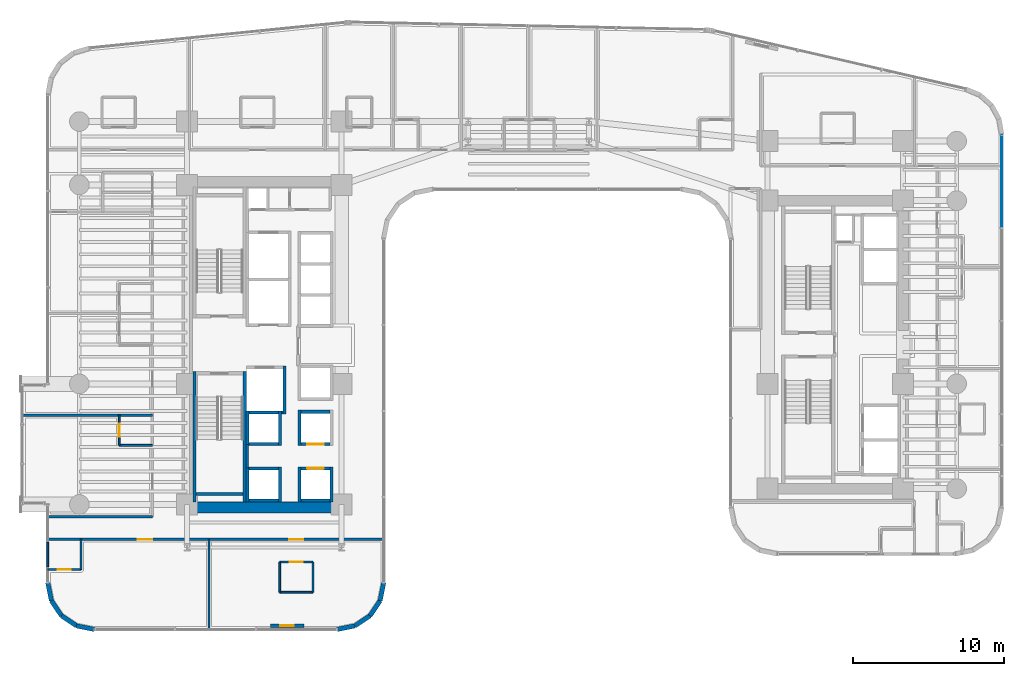
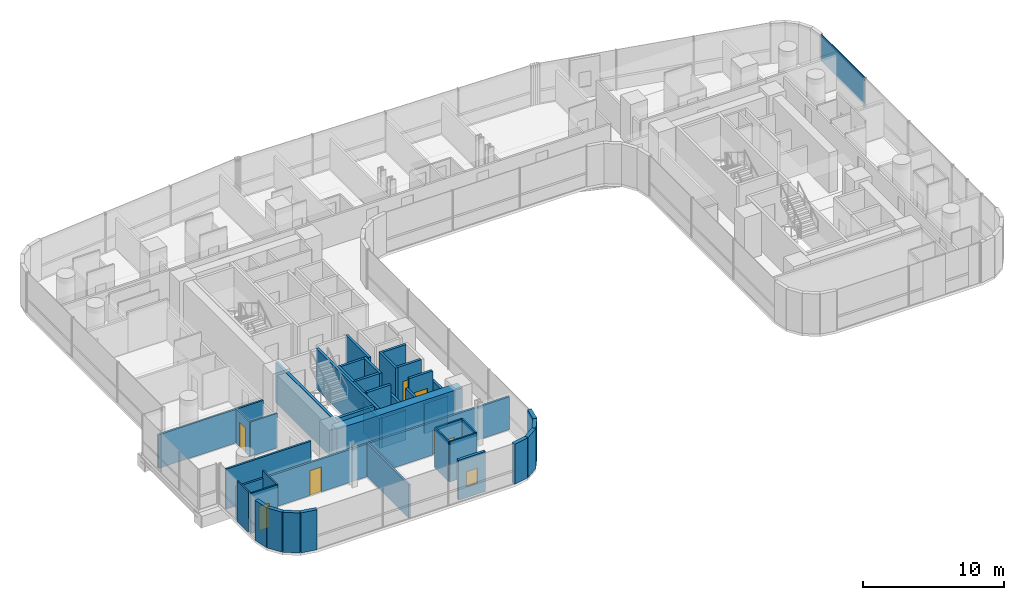
# One storey, part 30 of 42: 43 walls, 7 doors, 1 plate, 1 window, 8 openings, 1 element without a shape of its own.
"""IFC4 building model written with IfcOpenShell, lengths in metres."""

from ifc_helpers import new_model, si_unit, direction, frame, frame_2d, origin, origin_2d, place, context, subcontext, project, spatial, rectangle, extrude, source, transform, mapped, material, layer, layer_set, type_object, element, fill, aggregate, save


model = new_model("IFC4")

# Units and contexts
model_context = context("Model", 3, precision=1e-05, world=origin(), true_north=direction((0.0, 1.0)))
body_context = subcontext(model_context, "Body", "Model", "MODEL_VIEW")
ifc_project = project(units=[si_unit("LENGTHUNIT", "METRE"), si_unit("AREAUNIT", "SQUARE_METRE"), si_unit("VOLUMEUNIT", "CUBIC_METRE"), si_unit("PLANEANGLEUNIT", "RADIAN"), si_unit("MASSUNIT", "GRAM", prefix="KILO")], contexts=[model_context])

# Site, building, storey
site_placement = place(None, origin())
site = spatial("IfcSite", under=ifc_project, at=site_placement, CompositionType="ELEMENT")
building_placement = place(site_placement, origin())
building = spatial("IfcBuilding", under=site, at=building_placement, Name="Valdorenza Pilgrim Sanctuary Tower", CompositionType="ELEMENT")
storey_placement = place(building_placement, frame((0.0, 0.0, 29.699951171875)))
storey = spatial("IfcBuildingStorey", under=building, at=storey_placement, Name="L06", CompositionType="ELEMENT", Elevation=29.699951171875)

# Curtain wall, plate
ifc_material_1 = material(Name="Curtain-wall IGU glazing", Category="glass")
curtain_wall_type = type_object("IfcCurtainWallType", Name="CW-SYS-03", PredefinedType="NOTDEFINED", material=ifc_material_1)
curtain_wall_placement = place(storey_placement, origin())
curtain_wall = element("IfcCurtainWall", 1, at=curtain_wall_placement, inside=storey, type_object=curtain_wall_type, Name="L06 Curtain Wall CW-L06-1-21", PredefinedType="NOTDEFINED")
ifc_material_2 = material(Name="Ceramic-fritted low-E IGU glazing", Category="glass")
ifc_layer_1 = layer(ifc_material_2, 0.035888671875, Name="Ceramic-fritted low-E IGU glazing")
ifc_layer_set_1 = layer_set([ifc_layer_1], Name="Ceramic-fritted low-E IGU glazing")
plate_type = type_object("IfcPlateType", Name="CW-GLZ-IGU", PredefinedType="USERDEFINED", material=ifc_layer_set_1)
shared_shape = source(origin(), body_context, "Body", "SweptSolid", [
    extrude(rectangle(XDim=6.16357421875, YDim=0.050048828125, at=origin_2d()), origin(), (0.0, 0.0, 1.0), 2.320068359375),
])
plate_placement = place(storey_placement, frame((31.389892578125, 10.853271484375, 1.1298828125), z_axis=(0.0, 0.0, 1.0), x_axis=(0.0, -1.0, 0.0)))
plate = element("IfcPlate", 2, at=plate_placement, type_object=plate_type, Name="CW-L06-1-21 Facade Panel 1", ObjectType="GLAZING", PredefinedType="USERDEFINED", context=body_context, shape_type="MappedRepresentation", body=[
    mapped(shared_shape, transform((0.0, 0.0, 0.0), x_axis=(1.0, 0.0, 0.0), y_axis=(0.0, 1.0, 0.0), z_axis=(0.0, 0.0, 1.0), scale=1.0)),
])
aggregate(curtain_wall, [plate])

# Wall
ifc_material_3 = material(Name="Acoustic twin-stud gypsum partition", Category="gypsum")
ifc_layer_2 = layer(ifc_material_3, 0.159912109375, Name="Acoustic twin-stud gypsum partition")
ifc_layer_set_2 = layer_set([ifc_layer_2], Name="Acoustic twin-stud gypsum partition")
wall_type_1 = type_object("IfcWallType", Name="WAL-COR-160", PredefinedType="PARTITIONING", material=ifc_layer_set_2)
wall_1_placement = place(storey_placement, frame((-18.64990234375, -8.179931640625, 0.0), z_axis=(0.0, 0.0, 1.0), x_axis=(0.0, 1.0, 0.0)))
element("IfcWall", 3, at=wall_1_placement, inside=storey, type_object=wall_type_1, Name="L06 Core A South Lift Hall West Wall", PredefinedType="PARTITIONING", context=body_context, shape_type="SweptSolid", body=[
    extrude(rectangle(XDim=1.559814453125, YDim=0.159912109375, at=frame_2d((0.77978515625, 0.0))), origin(), (0.0, 0.0, 1.0), 3.4599609375),
])

# Wall, openings, doors
wall_2_placement = place(storey_placement, frame((-31.889892578125, -12.919921875, 0.0), z_axis=(0.0, 0.0, 1.0), x_axis=(1.0, 0.0, 0.0)))
wall_2 = element("IfcWall", 4, at=wall_2_placement, inside=storey, type_object=wall_type_1, Name="L06 South Wing Corridor Wall", PredefinedType="PARTITIONING", context=body_context, shape_type="SweptSolid", body=[
    extrude(rectangle(XDim=22.27978515625, YDim=0.159912109375, at=frame_2d((11.139892578125, 0.0))), origin(), (0.0, 0.0, 1.0), 2.833984375),
])
opening_1_placement = place(wall_2_placement, frame((5.969970703125, 0.0, 0.0)))
opening_1 = element("IfcOpeningElement", 5, at=opening_1_placement, cuts=wall_2, Name="Opening DR-UN1", PredefinedType="OPENING", context=body_context, shape_type="SweptSolid", body=[
    extrude(rectangle(XDim=0.949951171875, YDim=2.14990234375, at=frame_2d((0.47509765625, 1.074951171875))), frame((0.0, 0.0947265625, 0.0), z_axis=(0.0, -1.0, 0.0), x_axis=(1.0, 0.0, 0.0)), (0.0, 0.0, 1.0), 0.189697265625),
])
opening_2_placement = place(wall_2_placement, frame((16.010009765625, 0.0, 0.0)))
opening_2 = element("IfcOpeningElement", 6, at=opening_2_placement, cuts=wall_2, Name="Opening DR-UN1", PredefinedType="OPENING", context=body_context, shape_type="SweptSolid", body=[
    extrude(rectangle(XDim=0.949951171875, YDim=2.14990234375, at=frame_2d((0.47509765625, 1.074951171875))), frame((0.0, 0.0947265625, 0.0), z_axis=(0.0, -1.0, 0.0), x_axis=(1.0, 0.0, 0.0)), (0.0, 0.0, 1.0), 0.189697265625),
])
ifc_material_4 = material(Name="Solid-core European oak timber", Category="wood")
door_type_1 = type_object("IfcDoorType", Name="DR-UNIT-950", OperationType="NOTDEFINED", PredefinedType="DOOR", material=ifc_material_4)
door_1_placement = place(opening_1_placement, frame((0.949951171875, 0.0, 0.0), z_axis=(0.0, 0.0, 1.0), x_axis=(-1.0, 0.0, 0.0)))
door_1 = element("IfcDoor", 7, at=door_1_placement, inside=storey, type_object=door_type_1, Name="L06 South Guest Room L06-S1 Entrance Door", OperationType="SINGLE_SWING_LEFT", OverallHeight=2.14990234375, OverallWidth=0.949951171875, PredefinedType="DOOR", context=body_context, shape_type="SweptSolid", body=[
    extrude(rectangle(XDim=0.949951171875, YDim=2.14990234375, at=frame_2d((0.47509765625, 1.074951171875))), frame((0.0, 0.02490234375, 0.0), z_axis=(0.0, -1.0, 0.0), x_axis=(1.0, 0.0, 0.0)), (0.0, 0.0, 1.0), 0.050048828125),
])
fill(opening_1, door_1)
door_2_placement = place(opening_2_placement, frame((0.949951171875, 0.0, 0.0), z_axis=(0.0, 0.0, 1.0), x_axis=(-1.0, 0.0, 0.0)))
door_2 = element("IfcDoor", 8, at=door_2_placement, inside=storey, type_object=door_type_1, Name="L06 South Guest Room L06-S2 Entrance Door", OperationType="SINGLE_SWING_LEFT", OverallHeight=2.14990234375, OverallWidth=0.949951171875, PredefinedType="DOOR", context=body_context, shape_type="SweptSolid", body=[
    extrude(rectangle(XDim=0.949951171875, YDim=2.14990234375, at=frame_2d((0.47509765625, 1.074951171875))), frame((0.0, 0.02490234375, 0.0), z_axis=(0.0, -1.0, 0.0), x_axis=(1.0, 0.0, 0.0)), (0.0, 0.0, 1.0), 0.050048828125),
])
fill(opening_2, door_2)

# Walls
wall_3_placement = place(storey_placement, frame((-31.889892578125, -11.419921875, 0.0), z_axis=(0.0, 0.0, 1.0), x_axis=(1.0, 0.0, 0.0)))
element("IfcWall", 9, at=wall_3_placement, inside=storey, type_object=wall_type_1, Name="L06 South-West Corridor North Wall", PredefinedType="PARTITIONING", context=body_context, shape_type="SweptSolid", body=[
    extrude(rectangle(XDim=6.93994140625, YDim=0.159912109375, at=frame_2d((3.469970703125, 0.0))), origin(), (0.0, 0.0, 1.0), 3.4599609375),
])
ifc_material_5 = material(Name="Concrete C60/75", Category="concrete")
ifc_layer_3 = layer(ifc_material_5, 0.699951171875, Name="Concrete C60/75")
ifc_layer_set_3 = layer_set([ifc_layer_3], Name="Concrete C60/75")
wall_type_2 = type_object("IfcWallType", Name="WAL-COR-700", PredefinedType="SHEAR", material=ifc_layer_set_3)
wall_4_placement = place(storey_placement, frame((-22.64990234375, -10.800048828125, 0.0), z_axis=(0.0, 0.0, 1.0), x_axis=(1.0, 0.0, 0.0)))
element("IfcWall", 10, at=wall_4_placement, inside=storey, type_object=wall_type_2, Name="L06 Split Core A Shear Wall S", PredefinedType="SHEAR", context=body_context, shape_type="SweptSolid", body=[
    extrude(rectangle(XDim=10.25, YDim=0.699951171875, at=frame_2d((5.125, 0.0))), origin(), (0.0, 0.0, 1.0), 3.4599609375),
])
ifc_material_6 = material(Name="Honed travertine limestone", Category="masonry")
ifc_layer_4 = layer(ifc_material_6, 0.300048828125, Name="Honed travertine limestone")
ifc_layer_set_4 = layer_set([ifc_layer_4], Name="Honed travertine limestone")
wall_type_3 = type_object("IfcWallType", Name="WAL-EXT-300", PredefinedType="SOLIDWALL", material=ifc_layer_set_4)
wall_5_placement = place(storey_placement, frame((-9.610107421875, -15.789306640625, 0.0), z_axis=(0.0, 0.0, 1.0), x_axis=(-0.194996050505, -0.980804027463, 0.0)))
element("IfcWall", 11, at=wall_5_placement, inside=storey, type_object=wall_type_3, Name="L06 Rounded Wind-Corner Stone Pier 42", PredefinedType="SOLIDWALL", context=body_context, shape_type="SweptSolid", body=[
    extrude(rectangle(XDim=1.2158203125, YDim=0.300048828125, at=frame_2d((0.60791015625, 0.0))), origin(), (0.0, 0.0, 1.0), 3.4599609375),
])
for number, where, z_axis, x_axis, name in (
    (12, (-9.84716796875, -16.981689453125, 0.0), (0.0, 0.0, 1.0), (-0.555635100982, -0.831426265255, 0.0), "L06 Rounded Wind-Corner Stone Pier 43"),
    (13, (-10.5166015625, -17.9833984375, 0.0), (0.0, 0.0, 1.0), (-0.831426265255, -0.555635100982, 0.0), "L06 Rounded Wind-Corner Stone Pier 44"),
):
    element("IfcWall", number, at=place(storey_placement, frame(where, z_axis=z_axis, x_axis=x_axis)), inside=storey, type_object=wall_type_3, Name=name, PredefinedType="SOLIDWALL", context=body_context, shape_type="SweptSolid", body=[
        extrude(rectangle(XDim=1.204833984375, YDim=0.300048828125, at=frame_2d((0.6025390625, 0.0))), origin(), (0.0, 0.0, 1.0), 3.4599609375),
    ])
wall_6_placement = place(storey_placement, frame((-11.518310546875, -18.65283203125, 0.0), z_axis=(0.0, 0.0, 1.0), x_axis=(-0.980804027463, -0.194996050505, 0.0)))
element("IfcWall", 14, at=wall_6_placement, inside=storey, type_object=wall_type_3, Name="L06 Rounded Wind-Corner Stone Pier 45", PredefinedType="SOLIDWALL", context=body_context, shape_type="SweptSolid", body=[
    extrude(rectangle(XDim=1.2158203125, YDim=0.300048828125, at=frame_2d((0.60791015625, 0.0))), origin(), (0.0, 0.0, 1.0), 3.4599609375),
])

# Wall, opening, window
wall_7_placement = place(storey_placement, frame((-14.910888671875, -18.64990234375, 0.0), z_axis=(0.0, 0.0, 1.0), x_axis=(-1.0, 0.0, 0.0)))
wall_7 = element("IfcWall", 15, at=wall_7_placement, inside=storey, type_object=wall_type_3, Name="L06 Operable Ventilation Sash Jamb Pier", PredefinedType="SOLIDWALL", context=body_context, shape_type="SweptSolid", body=[
    extrude(rectangle(XDim=2.199951171875, YDim=0.219970703125, at=frame_2d((1.10009765625, 0.0))), origin(), (0.0, 0.0, 1.0), 3.4599609375),
])
opening_3_placement = place(wall_7_placement, frame((0.64990234375, 0.0, 0.949951171875)))
opening_3 = element("IfcOpeningElement", 16, at=opening_3_placement, cuts=wall_7, Name="Opening WN-OP1", PredefinedType="OPENING", context=body_context, shape_type="SweptSolid", body=[
    extrude(rectangle(XDim=0.89990234375, YDim=1.300048828125, at=frame_2d((0.449951171875, 0.64990234375))), frame((0.0, 0.125, 0.0), z_axis=(0.0, -1.0, 0.0), x_axis=(1.0, 0.0, 0.0)), (0.0, 0.0, 1.0), 0.249755859375),
])
window_type = type_object("IfcWindowType", Name="WIN-OPN-900", PartitioningType="SINGLE_PANEL", PredefinedType="WINDOW", material=ifc_material_2)
window_placement = place(opening_3_placement, origin())
window = element("IfcWindow", 17, at=window_placement, inside=storey, type_object=window_type, Name="L06 Parallel-Pop-Out Operable Facade Panel", OverallHeight=1.300048828125, OverallWidth=0.89990234375, PartitioningType="SINGLE_PANEL", PredefinedType="WINDOW", context=body_context, shape_type="SweptSolid", body=[
    extrude(rectangle(XDim=0.89990234375, YDim=1.300048828125, at=frame_2d((0.449951171875, 0.64990234375))), frame((0.0, 0.030029296875, 0.0), z_axis=(0.0, -1.0, 0.0), x_axis=(1.0, 0.0, 0.0)), (0.0, 0.0, 1.0), 0.06005859375),
])
fill(opening_3, window)

# Walls
wall_8_placement = place(storey_placement, frame((-28.789306640625, -18.889892578125, 0.0), z_axis=(0.0, 0.0, 1.0), x_axis=(-0.980804027463, 0.194996050505, 0.0)))
element("IfcWall", 18, at=wall_8_placement, inside=storey, type_object=wall_type_3, Name="L06 Rounded Wind-Corner Stone Pier 47", PredefinedType="SOLIDWALL", context=body_context, shape_type="SweptSolid", body=[
    extrude(rectangle(XDim=1.2158203125, YDim=0.300048828125, at=frame_2d((0.60791015625, 0.0))), origin(), (0.0, 0.0, 1.0), 3.4599609375),
])
for number, where, z_axis, x_axis, name in (
    (19, (-29.981689453125, -18.65283203125, 0.0), (0.0, 0.0, 1.0), (-0.831426265255, 0.555635100982, 0.0), "L06 Rounded Wind-Corner Stone Pier 48"),
    (20, (-30.9833984375, -17.9833984375, 0.0), (0.0, 0.0, 1.0), (-0.555635100982, 0.831426265255, 0.0), "L06 Rounded Wind-Corner Stone Pier 49"),
):
    element("IfcWall", number, at=place(storey_placement, frame(where, z_axis=z_axis, x_axis=x_axis)), inside=storey, type_object=wall_type_3, Name=name, PredefinedType="SOLIDWALL", context=body_context, shape_type="SweptSolid", body=[
        extrude(rectangle(XDim=1.204833984375, YDim=0.300048828125, at=frame_2d((0.6025390625, 0.0))), origin(), (0.0, 0.0, 1.0), 3.4599609375),
    ])
wall_9_placement = place(storey_placement, frame((-31.65283203125, -16.981689453125, 0.0), z_axis=(0.0, 0.0, 1.0), x_axis=(-0.194996050505, 0.980804027463, 0.0)))
element("IfcWall", 21, at=wall_9_placement, inside=storey, type_object=wall_type_3, Name="L06 Rounded Wind-Corner Stone Pier 50", PredefinedType="SOLIDWALL", context=body_context, shape_type="SweptSolid", body=[
    extrude(rectangle(XDim=1.2158203125, YDim=0.300048828125, at=frame_2d((0.60791015625, 0.0))), origin(), (0.0, 0.0, 1.0), 3.4599609375),
])
ifc_material_7 = material(Name="Moisture-resistant gypsum partition", Category="gypsum")
ifc_layer_5 = layer(ifc_material_7, 0.1201171875, Name="Moisture-resistant gypsum partition")
ifc_layer_set_5 = layer_set([ifc_layer_5], Name="Moisture-resistant gypsum partition")
wall_type_4 = type_object("IfcWallType", Name="WAL-INT-120", PredefinedType="PARTITIONING", material=ifc_layer_set_5)
wall_10_placement = place(storey_placement, frame((-27.14990234375, -6.679931640625, 0.0), z_axis=(0.0, 0.0, 1.0), x_axis=(1.0, 0.0, 0.0)))
element("IfcWall", 22, at=wall_10_placement, inside=storey, type_object=wall_type_4, Name="L06 Pilgrim Guest Room L06-W1 En-suite South Wall", PredefinedType="PARTITIONING", context=body_context, shape_type="SweptSolid", body=[
    extrude(rectangle(XDim=2.199951171875, YDim=0.1201171875, at=frame_2d((1.10009765625, 0.0))), origin(), (0.0, 0.0, 1.0), 2.97900390625),
])

# Wall, opening, door
wall_11_placement = place(storey_placement, frame((-27.14990234375, -6.679931640625, 0.0), z_axis=(0.0, 0.0, 1.0), x_axis=(0.0, 1.0, 0.0)))
wall_11 = element("IfcWall", 23, at=wall_11_placement, inside=storey, type_object=wall_type_4, Name="L06 Pilgrim Guest Room L06-W1 En-suite Door Wall", PredefinedType="PARTITIONING", context=body_context, shape_type="SweptSolid", body=[
    extrude(rectangle(XDim=2.0, YDim=0.1201171875, at=frame_2d((1.0, 0.0))), origin(), (0.0, 0.0, 1.0), 2.97900390625),
])
opening_4_placement = place(wall_11_placement, frame((0.574951171875, 0.0, 0.0)))
opening_4 = element("IfcOpeningElement", 24, at=opening_4_placement, cuts=wall_11, Name="Opening DR-WC1", PredefinedType="OPENING", context=body_context, shape_type="SweptSolid", body=[
    extrude(rectangle(XDim=0.85009765625, YDim=2.10009765625, at=frame_2d((0.425048828125, 1.050048828125))), frame((0.0, 0.074951171875, 0.0), z_axis=(0.0, -1.0, 0.0), x_axis=(1.0, 0.0, 0.0)), (0.0, 0.0, 1.0), 0.14990234375),
])
ifc_material_8 = material(Name="Moisture-resistant lacquered timber", Category="wood")
door_type_2 = type_object("IfcDoorType", Name="DR-BATH-850", OperationType="NOTDEFINED", PredefinedType="DOOR", material=ifc_material_8)
door_3_placement = place(opening_4_placement, origin())
door_3 = element("IfcDoor", 25, at=door_3_placement, inside=storey, type_object=door_type_2, Name="L06 Pilgrim Guest Room L06-W1 En-suite Bathroom Door", OperationType="SINGLE_SWING_RIGHT", OverallHeight=2.10009765625, OverallWidth=0.85009765625, PredefinedType="DOOR", context=body_context, shape_type="SweptSolid", body=[
    extrude(rectangle(XDim=0.85009765625, YDim=2.10009765625, at=frame_2d((0.425048828125, 1.050048828125))), frame((0.0, 0.02490234375, 0.0), z_axis=(0.0, -1.0, 0.0), x_axis=(1.0, 0.0, 0.0)), (0.0, 0.0, 1.0), 0.050048828125),
])
fill(opening_4, door_3)

# Wall
wall_12_placement = place(storey_placement, frame((-29.68994140625, -14.919921875, 0.0), z_axis=(0.0, 0.0, 1.0), x_axis=(0.0, 1.0, 0.0)))
element("IfcWall", 26, at=wall_12_placement, inside=storey, type_object=wall_type_4, Name="L06 South Guest Room L06-S1 En-suite East Wall", PredefinedType="PARTITIONING", context=body_context, shape_type="SweptSolid", body=[
    extrude(rectangle(XDim=2.0, YDim=0.1201171875, at=frame_2d((1.0, 0.0))), origin(), (0.0, 0.0, 1.0), 3.4599609375),
])

# Wall, opening, door
wall_13_placement = place(storey_placement, frame((-31.889892578125, -14.919921875, 0.0), z_axis=(0.0, 0.0, 1.0), x_axis=(1.0, 0.0, 0.0)))
wall_13 = element("IfcWall", 27, at=wall_13_placement, inside=storey, type_object=wall_type_4, Name="L06 South Guest Room L06-S1 En-suite Door Wall", PredefinedType="PARTITIONING", context=body_context, shape_type="SweptSolid", body=[
    extrude(rectangle(XDim=2.199951171875, YDim=0.1201171875, at=frame_2d((1.10009765625, 0.0))), origin(), (0.0, 0.0, 1.0), 3.4599609375),
])
opening_5_placement = place(wall_13_placement, frame((0.675048828125, 0.0, 0.0)))
opening_5 = element("IfcOpeningElement", 28, at=opening_5_placement, cuts=wall_13, Name="Opening DR-WC1", PredefinedType="OPENING", context=body_context, shape_type="SweptSolid", body=[
    extrude(rectangle(XDim=0.85009765625, YDim=2.10009765625, at=frame_2d((0.425048828125, 1.050048828125))), frame((0.0, 0.074951171875, 0.0), z_axis=(0.0, -1.0, 0.0), x_axis=(1.0, 0.0, 0.0)), (0.0, 0.0, 1.0), 0.14990234375),
])
door_4_placement = place(opening_5_placement, origin())
door_4 = element("IfcDoor", 29, at=door_4_placement, inside=storey, type_object=door_type_2, Name="L06 South Guest Room L06-S1 En-suite Bathroom Door", OperationType="SINGLE_SWING_RIGHT", OverallHeight=2.10009765625, OverallWidth=0.85009765625, PredefinedType="DOOR", context=body_context, shape_type="SweptSolid", body=[
    extrude(rectangle(XDim=0.85009765625, YDim=2.10009765625, at=frame_2d((0.425048828125, 1.050048828125))), frame((0.0, 0.02490234375, 0.0), z_axis=(0.0, -1.0, 0.0), x_axis=(1.0, 0.0, 0.0)), (0.0, 0.0, 1.0), 0.050048828125),
])
fill(opening_5, door_4)

# Walls
wall_14_placement = place(storey_placement, frame((-31.889892578125, -14.739990234375, 0.0), z_axis=(0.0, 0.0, 1.0), x_axis=(0.0, 1.0, 0.0)))
element("IfcWall", 30, at=wall_14_placement, inside=storey, type_object=wall_type_4, Name="L06 SW-G1-ENS Enclosure Wall W", PredefinedType="PARTITIONING", context=body_context, shape_type="SweptSolid", body=[
    extrude(rectangle(XDim=1.619873046875, YDim=0.1201171875, at=frame_2d((0.81005859375, 0.0))), origin(), (0.0, 0.0, 1.0), 3.4599609375),
])
for number, where, z_axis, x_axis, name in (
    (31, (-16.5048828125, -16.419921875, 0.0), (0.0, 0.0, 1.0), (0.0, 1.0, 0.0), "L06 South Guest Room L06-S2 En-suite West Wall"),
    (32, (-14.304931640625, -16.419921875, 0.0), (0.0, 0.0, 1.0), (0.0, 1.0, 0.0), "L06 South Guest Room L06-S2 En-suite East Wall"),
):
    element("IfcWall", number, at=place(storey_placement, frame(where, z_axis=z_axis, x_axis=x_axis)), inside=storey, type_object=wall_type_4, Name=name, PredefinedType="PARTITIONING", context=body_context, shape_type="SweptSolid", body=[
        extrude(rectangle(XDim=2.0, YDim=0.1201171875, at=frame_2d((1.0, 0.0))), origin(), (0.0, 0.0, 1.0), 3.4599609375),
    ])
wall_15_placement = place(storey_placement, frame((-16.5048828125, -16.419921875, 0.0), z_axis=(0.0, 0.0, 1.0), x_axis=(1.0, 0.0, 0.0)))
element("IfcWall", 33, at=wall_15_placement, inside=storey, type_object=wall_type_4, Name="L06 South Guest Room L06-S2 En-suite Back Wall", PredefinedType="PARTITIONING", context=body_context, shape_type="SweptSolid", body=[
    extrude(rectangle(XDim=2.199951171875, YDim=0.1201171875, at=frame_2d((1.10009765625, 0.0))), origin(), (0.0, 0.0, 1.0), 3.4599609375),
])

# Wall, opening, door
wall_16_placement = place(storey_placement, frame((-16.5048828125, -14.419921875, 0.0), z_axis=(0.0, 0.0, 1.0), x_axis=(1.0, 0.0, 0.0)))
wall_16 = element("IfcWall", 34, at=wall_16_placement, inside=storey, type_object=wall_type_4, Name="L06 South Guest Room L06-S2 En-suite Door Wall", PredefinedType="PARTITIONING", context=body_context, shape_type="SweptSolid", body=[
    extrude(rectangle(XDim=2.199951171875, YDim=0.1201171875, at=frame_2d((1.10009765625, 0.0))), origin(), (0.0, 0.0, 1.0), 3.4599609375),
])
opening_6_placement = place(wall_16_placement, frame((0.675048828125, 0.0, 0.0)))
opening_6 = element("IfcOpeningElement", 35, at=opening_6_placement, cuts=wall_16, Name="Opening DR-WC1", PredefinedType="OPENING", context=body_context, shape_type="SweptSolid", body=[
    extrude(rectangle(XDim=0.85009765625, YDim=2.10009765625, at=frame_2d((0.425048828125, 1.050048828125))), frame((0.0, 0.074951171875, 0.0), z_axis=(0.0, -1.0, 0.0), x_axis=(1.0, 0.0, 0.0)), (0.0, 0.0, 1.0), 0.14990234375),
])
door_5_placement = place(opening_6_placement, origin())
door_5 = element("IfcDoor", 36, at=door_5_placement, inside=storey, type_object=door_type_2, Name="L06 South Guest Room L06-S2 En-suite Bathroom Door", OperationType="SINGLE_SWING_RIGHT", OverallHeight=2.10009765625, OverallWidth=0.85009765625, PredefinedType="DOOR", context=body_context, shape_type="SweptSolid", body=[
    extrude(rectangle(XDim=0.85009765625, YDim=2.10009765625, at=frame_2d((0.425048828125, 1.050048828125))), frame((0.0, 0.02490234375, 0.0), z_axis=(0.0, -1.0, 0.0), x_axis=(1.0, 0.0, 0.0)), (0.0, 0.0, 1.0), 0.050048828125),
])
fill(opening_6, door_5)

# Walls
ifc_material_9 = material(Name="Autoclaved aerated concrete blockwork", Category="masonry")
ifc_layer_6 = layer(ifc_material_9, 0.199951171875, Name="Autoclaved aerated concrete blockwork")
ifc_layer_set_6 = layer_set([ifc_layer_6], Name="Autoclaved aerated concrete blockwork")
wall_type_5 = type_object("IfcWallType", Name="WAL-SHF-200", PredefinedType="MOVABLE", material=ifc_layer_set_6)
wall_17_placement = place(storey_placement, frame((-16.199951171875, -4.60009765625, 0.0), z_axis=(0.0, 0.0, 1.0), x_axis=(0.0, 1.0, 0.0)))
element("IfcWall", 37, at=wall_17_placement, inside=storey, type_object=wall_type_5, Name="L06 Lift FFL-02 Hoistway Wall East", PredefinedType="MOVABLE", context=body_context, shape_type="SweptSolid", body=[
    extrude(rectangle(XDim=3.2001953125, YDim=0.199951171875, at=frame_2d((1.60009765625, 0.0))), origin(), (0.0, 0.0, 1.0), 3.4599609375),
])
wall_18_placement = place(storey_placement, frame((-18.719970703125, -4.5, 0.0), z_axis=(0.0, 0.0, 1.0), x_axis=(1.0, 0.0, 0.0)))
element("IfcWall", 38, at=wall_18_placement, inside=storey, type_object=wall_type_5, Name="L06 Lift FFL-02 Hoistway Wall South", PredefinedType="MOVABLE", context=body_context, shape_type="SweptSolid", body=[
    extrude(rectangle(XDim=2.419921875, YDim=0.199951171875, at=frame_2d((1.2099609375, 0.0))), origin(), (0.0, 0.0, 1.0), 3.4599609375),
])
for number, where, z_axis, x_axis, name in (
    (39, (-15.199951171875, -10.449951171875, 0.0), (0.0, 0.0, 1.0), (0.0, 1.0, 0.0), "L06 Lift PL-01 Hoistway Wall West"),
    (40, (-13.080078125, -10.449951171875, 0.0), (0.0, 0.0, 1.0), (0.0, 1.0, 0.0), "L06 Lift PL-01 Hoistway Wall East"),
):
    element("IfcWall", number, at=place(storey_placement, frame(where, z_axis=z_axis, x_axis=x_axis)), inside=storey, type_object=wall_type_5, Name=name, PredefinedType="MOVABLE", context=body_context, shape_type="SweptSolid", body=[
        extrude(rectangle(XDim=2.349853515625, YDim=0.199951171875, at=frame_2d((1.1748046875, 0.0))), origin(), (0.0, 0.0, 1.0), 2.5830078125),
    ])
wall_19_placement = place(storey_placement, frame((-15.10009765625, -10.35009765625, 0.0), z_axis=(0.0, 0.0, 1.0), x_axis=(1.0, 0.0, 0.0)))
element("IfcWall", 41, at=wall_19_placement, inside=storey, type_object=wall_type_5, Name="L06 Lift PL-01 Hoistway Wall South", PredefinedType="MOVABLE", context=body_context, shape_type="SweptSolid", body=[
    extrude(rectangle(XDim=1.920166015625, YDim=0.199951171875, at=frame_2d((0.9599609375, 0.0))), origin(), (0.0, 0.0, 1.0), 2.5830078125),
])

# Wall, opening, door
wall_20_placement = place(storey_placement, frame((-15.10009765625, -8.199951171875, 0.0), z_axis=(0.0, 0.0, 1.0), x_axis=(1.0, 0.0, 0.0)))
wall_20 = element("IfcWall", 42, at=wall_20_placement, inside=storey, type_object=wall_type_5, Name="L06 Lift PL-01 Hoistway Wall North", PredefinedType="MOVABLE", context=body_context, shape_type="SweptSolid", body=[
    extrude(rectangle(XDim=1.920166015625, YDim=0.199951171875, at=frame_2d((0.9599609375, 0.0))), origin(), (0.0, 0.0, 1.0), 3.4599609375),
])
opening_7_placement = place(wall_20_placement, frame((0.409912109375, 0.0, 0.0)))
opening_7 = element("IfcOpeningElement", 43, at=opening_7_placement, cuts=wall_20, Name="Opening LD-01", PredefinedType="OPENING", context=body_context, shape_type="SweptSolid", body=[
    extrude(rectangle(XDim=1.10009765625, YDim=2.10009765625, at=frame_2d((0.550048828125, 1.050048828125))), frame((0.0, 0.11474609375, 0.0), z_axis=(0.0, -1.0, 0.0), x_axis=(1.0, 0.0, 0.0)), (0.0, 0.0, 1.0), 0.229736328125),
])
ifc_material_10 = material(Name="Brushed stainless steel Grade 316", Category="steel")
door_type_3 = type_object("IfcDoorType", Name="DR-LFT-1100", OperationType="DOUBLE_DOOR_SLIDING", PredefinedType="DOOR", material=ifc_material_10)
door_6_placement = place(opening_7_placement, origin())
door_6 = element("IfcDoor", 44, at=door_6_placement, inside=storey, type_object=door_type_3, Name="L06 Lift PL-01 Sliding Landing Door", OperationType="DOUBLE_DOOR_SLIDING", OverallHeight=2.10009765625, OverallWidth=1.10009765625, PredefinedType="DOOR", context=body_context, shape_type="SweptSolid", body=[
    extrude(rectangle(XDim=1.10009765625, YDim=2.10009765625, at=frame_2d((0.550048828125, 1.050048828125))), frame((0.0, 0.02490234375, 0.0), z_axis=(0.0, -1.0, 0.0), x_axis=(1.0, 0.0, 0.0)), (0.0, 0.0, 1.0), 0.050048828125),
])
fill(opening_7, door_6)

# Wall
wall_21_placement = place(storey_placement, frame((-15.199951171875, -6.699951171875, 0.0), z_axis=(0.0, 0.0, 1.0), x_axis=(0.0, 1.0, 0.0)))
element("IfcWall", 45, at=wall_21_placement, inside=storey, type_object=wall_type_5, Name="L06 Lift PL-02 Hoistway Wall West", PredefinedType="MOVABLE", context=body_context, shape_type="SweptSolid", body=[
    extrude(rectangle(XDim=2.349853515625, YDim=0.199951171875, at=frame_2d((1.1748046875, 0.0))), origin(), (0.0, 0.0, 1.0), 3.4599609375),
])

# Wall, opening, door
wall_22_placement = place(storey_placement, frame((-15.10009765625, -6.60009765625, 0.0), z_axis=(0.0, 0.0, 1.0), x_axis=(1.0, 0.0, 0.0)))
wall_22 = element("IfcWall", 46, at=wall_22_placement, inside=storey, type_object=wall_type_5, Name="L06 Lift PL-02 Hoistway Wall South", PredefinedType="MOVABLE", context=body_context, shape_type="SweptSolid", body=[
    extrude(rectangle(XDim=1.920166015625, YDim=0.199951171875, at=frame_2d((0.9599609375, 0.0))), origin(), (0.0, 0.0, 1.0), 3.4599609375),
])
opening_8_placement = place(wall_22_placement, frame((0.409912109375, 0.0, 0.0)))
opening_8 = element("IfcOpeningElement", 47, at=opening_8_placement, cuts=wall_22, Name="Opening LD-01", PredefinedType="OPENING", context=body_context, shape_type="SweptSolid", body=[
    extrude(rectangle(XDim=1.10009765625, YDim=2.10009765625, at=frame_2d((0.550048828125, 1.050048828125))), frame((0.0, 0.11474609375, 0.0), z_axis=(0.0, -1.0, 0.0), x_axis=(1.0, 0.0, 0.0)), (0.0, 0.0, 1.0), 0.229736328125),
])
door_7_placement = place(opening_8_placement, origin())
door_7 = element("IfcDoor", 48, at=door_7_placement, inside=storey, type_object=door_type_3, Name="L06 Lift PL-02 Sliding Landing Door", OperationType="DOUBLE_DOOR_SLIDING", OverallHeight=2.10009765625, OverallWidth=1.10009765625, PredefinedType="DOOR", context=body_context, shape_type="SweptSolid", body=[
    extrude(rectangle(XDim=1.10009765625, YDim=2.10009765625, at=frame_2d((0.550048828125, 1.050048828125))), frame((0.0, 0.02490234375, 0.0), z_axis=(0.0, -1.0, 0.0), x_axis=(1.0, 0.0, 0.0)), (0.0, 0.0, 1.0), 0.050048828125),
])
fill(opening_8, door_7)

# Walls
wall_23_placement = place(storey_placement, frame((-15.10009765625, -4.449951171875, 0.0), z_axis=(0.0, 0.0, 1.0), x_axis=(1.0, 0.0, 0.0)))
element("IfcWall", 49, at=wall_23_placement, inside=storey, type_object=wall_type_5, Name="L06 Lift PL-02 Hoistway Wall North", PredefinedType="MOVABLE", context=body_context, shape_type="SweptSolid", body=[
    extrude(rectangle(XDim=1.920166015625, YDim=0.199951171875, at=frame_2d((0.9599609375, 0.0))), origin(), (0.0, 0.0, 1.0), 3.4599609375),
])
for number, where, z_axis, x_axis, name in (
    (50, (-18.64990234375, -10.449951171875, 0.0), (0.0, 0.0, 1.0), (0.0, 1.0, 0.0), "L06 Lift PL-05 Hoistway Wall West"),
    (51, (-16.5, -10.449951171875, 0.0), (0.0, 0.0, 1.0), (0.0, 1.0, 0.0), "L06 Lift PL-05 Hoistway Wall East"),
):
    element("IfcWall", number, at=place(storey_placement, frame(where, z_axis=z_axis, x_axis=x_axis)), inside=storey, type_object=wall_type_5, Name=name, PredefinedType="MOVABLE", context=body_context, shape_type="SweptSolid", body=[
        extrude(rectangle(XDim=2.349853515625, YDim=0.199951171875, at=frame_2d((1.1748046875, 0.0))), origin(), (0.0, 0.0, 1.0), 2.5830078125),
    ])
wall_24_placement = place(storey_placement, frame((-18.550048828125, -10.35009765625, 0.0), z_axis=(0.0, 0.0, 1.0), x_axis=(1.0, 0.0, 0.0)))
element("IfcWall", 52, at=wall_24_placement, inside=storey, type_object=wall_type_5, Name="L06 Lift PL-05 Hoistway Wall South", PredefinedType="MOVABLE", context=body_context, shape_type="SweptSolid", body=[
    extrude(rectangle(XDim=1.949951171875, YDim=0.199951171875, at=frame_2d((0.97509765625, 0.0))), origin(), (0.0, 0.0, 1.0), 2.5830078125),
])
wall_25_placement = place(storey_placement, frame((-18.550048828125, -8.199951171875, 0.0), z_axis=(0.0, 0.0, 1.0), x_axis=(1.0, 0.0, 0.0)))
element("IfcWall", 53, at=wall_25_placement, inside=storey, type_object=wall_type_5, Name="L06 Lift PL-05 Hoistway Wall North", PredefinedType="MOVABLE", context=body_context, shape_type="SweptSolid", body=[
    extrude(rectangle(XDim=1.949951171875, YDim=0.199951171875, at=frame_2d((0.97509765625, 0.0))), origin(), (0.0, 0.0, 1.0), 3.4599609375),
])
for number, where, z_axis, x_axis, name in (
    (54, (-18.64990234375, -6.699951171875, 0.0), (0.0, 0.0, 1.0), (0.0, 1.0, 0.0), "L06 Lift PL-11 Hoistway Wall West"),
    (55, (-16.5, -6.699951171875, 0.0), (0.0, 0.0, 1.0), (0.0, 1.0, 0.0), "L06 Lift PL-11 Hoistway Wall East"),
):
    element("IfcWall", number, at=place(storey_placement, frame(where, z_axis=z_axis, x_axis=x_axis)), inside=storey, type_object=wall_type_5, Name=name, PredefinedType="MOVABLE", context=body_context, shape_type="SweptSolid", body=[
        extrude(rectangle(XDim=2.300048828125, YDim=0.199951171875, at=frame_2d((1.14990234375, 0.0))), origin(), (0.0, 0.0, 1.0), 3.4599609375),
    ])
wall_26_placement = place(storey_placement, frame((-18.550048828125, -6.60009765625, 0.0), z_axis=(0.0, 0.0, 1.0), x_axis=(1.0, 0.0, 0.0)))
element("IfcWall", 56, at=wall_26_placement, inside=storey, type_object=wall_type_5, Name="L06 Lift PL-11 Hoistway Wall South", PredefinedType="MOVABLE", context=body_context, shape_type="SweptSolid", body=[
    extrude(rectangle(XDim=1.949951171875, YDim=0.199951171875, at=frame_2d((0.97509765625, 0.0))), origin(), (0.0, 0.0, 1.0), 3.4599609375),
])
ifc_material_11 = material(Name="Concrete C40/50", Category="concrete")
ifc_layer_7 = layer(ifc_material_11, 0.219970703125, Name="Concrete C40/50")
ifc_layer_set_7 = layer_set([ifc_layer_7], Name="Concrete C40/50")
wall_type_6 = type_object("IfcWallType", Name="WAL-STR-SHF-220", PredefinedType="SHEAR", material=ifc_layer_set_7)
for number, where, z_axis, x_axis, name in (
    (57, (-22.159912109375, -10.449951171875, 0.0), (0.0, 0.0, 1.0), (0.0, 1.0, 0.0), "L06 ST-A2 Structural Stairwell Wall W"),
    (58, (-18.830078125, -10.449951171875, 0.0), (0.0, 0.0, 1.0), (0.0, 1.0, 0.0), "L06 ST-A2 Structural Stairwell Wall E"),
):
    element("IfcWall", number, at=place(storey_placement, frame(where, z_axis=z_axis, x_axis=x_axis)), inside=storey, type_object=wall_type_6, Name=name, PredefinedType="SHEAR", context=body_context, shape_type="SweptSolid", body=[
        extrude(rectangle(XDim=8.669921875, YDim=0.219970703125, at=frame_2d((4.3349609375, 0.0))), origin(), (0.0, 0.0, 1.0), 3.4599609375),
    ])
wall_27_placement = place(storey_placement, frame((-22.050048828125, -9.909912109375, 0.0), z_axis=(0.0, 0.0, 1.0), x_axis=(1.0, 0.0, 0.0)))
element("IfcWall", 59, at=wall_27_placement, inside=storey, type_object=wall_type_6, Name="L06 ST-A2 Structural Stairwell Wall S", PredefinedType="SHEAR", context=body_context, shape_type="SweptSolid", body=[
    extrude(rectangle(XDim=3.110107421875, YDim=0.219970703125, at=frame_2d((1.55517578125, 0.0))), origin(), (0.0, 0.0, 1.0), 3.4599609375),
])
ifc_layer_8 = layer(ifc_material_3, 0.14990234375, Name="Acoustic twin-stud gypsum partition")
ifc_layer_set_8 = layer_set([ifc_layer_8], Name="Acoustic twin-stud gypsum partition")
wall_type_7 = type_object("IfcWallType", Name="WAL-UNT-150", PredefinedType="PARTITIONING", material=ifc_layer_set_8)
wall_28_placement = place(storey_placement, frame((-33.5400390625, -4.679931640625, 0.0), z_axis=(0.0, 0.0, 1.0), x_axis=(1.0, 0.0, 0.0)))
element("IfcWall", 60, at=wall_28_placement, inside=storey, type_object=wall_type_7, Name="L06 West Demising 1", PredefinedType="PARTITIONING", context=body_context, shape_type="SweptSolid", body=[
    extrude(rectangle(XDim=8.590087890625, YDim=0.14990234375, at=frame_2d((4.294921875, 0.0))), origin(), (0.0, 0.0, 1.0), 2.89599609375),
])
wall_29_placement = place(storey_placement, frame((-21.199951171875, -18.889892578125, 0.0), z_axis=(0.0, 0.0, 1.0), x_axis=(0.0, 1.0, 0.0)))
element("IfcWall", 61, at=wall_29_placement, inside=storey, type_object=wall_type_7, Name="L06 South Demising 1", PredefinedType="PARTITIONING", context=body_context, shape_type="SweptSolid", body=[
    extrude(rectangle(XDim=5.969970703125, YDim=0.14990234375, at=frame_2d((2.98486328125, 0.0))), origin(), (0.0, 0.0, 1.0), 2.89599609375),
])

save(model, "model.ifc")
